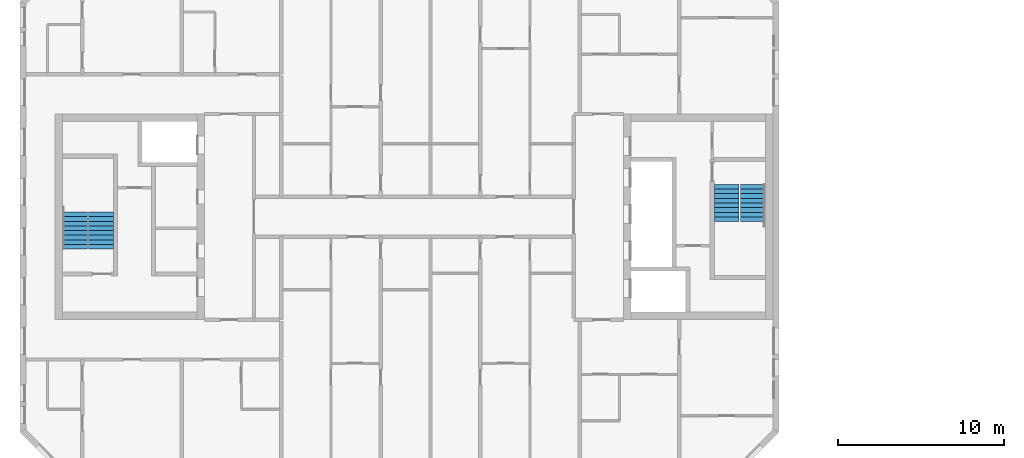
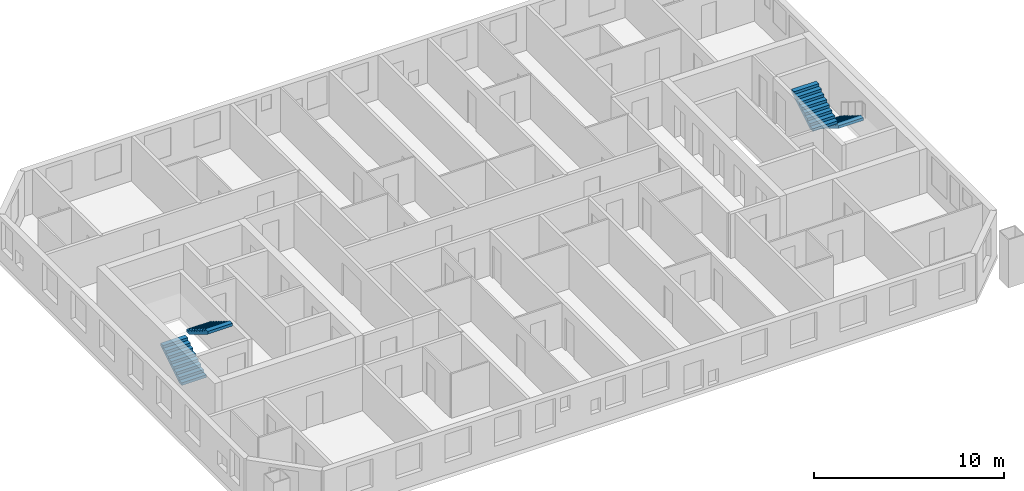
# One storey, part 14 of 15: 4 stair flights, 2 elements without a shape of their own.
"""IFC4 building model written with IfcOpenShell, lengths in metres."""

from ifc_helpers import new_model, si_unit, direction, frame, origin, place, context, subcontext, project, spatial, faceted_brep, material, type_object, element, aggregate, save


model = new_model("IFC4")

# Units and contexts
model_context = context("Model", 3, precision=1e-05, world=origin(), true_north=direction((0.0, 1.0)))
body_context = subcontext(model_context, "Body", "Model", "MODEL_VIEW")
ifc_project = project(units=[si_unit("LENGTHUNIT", "METRE"), si_unit("AREAUNIT", "SQUARE_METRE"), si_unit("VOLUMEUNIT", "CUBIC_METRE"), si_unit("PLANEANGLEUNIT", "RADIAN"), si_unit("MASSUNIT", "GRAM", prefix="KILO")], contexts=[model_context])

# Site, building, storey
site_placement = place(None, origin())
site = spatial("IfcSite", under=ifc_project, at=site_placement, CompositionType="ELEMENT")
building_placement = place(site_placement, origin())
building = spatial("IfcBuilding", under=site, at=building_placement, Name="Tuart Gate Housing", CompositionType="ELEMENT")
storey_placement = place(building_placement, frame((0.0, 0.0, 188.199951171875)))
storey = spatial("IfcBuildingStorey", under=building, at=storey_placement, Name="L53", CompositionType="ELEMENT", Elevation=188.199951171875)

# Stair, stair flights
ifc_material_1 = material(Name="Concrete C40", Category="concrete")
stair_type = type_object("IfcStairType", Name="Core stair 1500", PredefinedType="HALF_TURN_STAIR", material=ifc_material_1)
stair_1_placement = place(storey_placement, origin())
stair_1 = element("IfcStair", 1, at=stair_1_placement, inside=storey, type_object=stair_type, Name="Stair SA1", PredefinedType="HALF_TURN_STAIR")
ifc_material_2 = material(Name="Concrete C40", Category="concrete")
stair_flight_type = type_object("IfcStairFlightType", Name="Stair flight 1500, 9 risers 172 x 280", PredefinedType="STRAIGHT", material=ifc_material_2)
stair_flight_1_placement = place(storey_placement, frame((74.43994140625, 71.949951171875, 0.0), z_axis=(0.0, 0.0, 1.0), x_axis=(0.0, -1.0, 0.0)))
stair_flight_1 = element("IfcStairFlight", 2, at=stair_flight_1_placement, type_object=stair_flight_type, Name="SA1 flight 1", NumberOfRisers=9, NumberOfTreads=8, PredefinedType="STRAIGHT", RiserHeight=0.172222222, TreadLength=0.28, context=body_context, shape_type="Brep", body=[
    faceted_brep([(0.0, 0.75, 0.0), (0.0, 0.75, 0.172119140625), (0.280029296875, 0.75, 0.172119140625), (0.280029296875, 0.75, 0.344482421875), (0.56005859375, 0.75, 0.344482421875), (0.56005859375, 0.75, 0.5166015625), (0.840087890625, 0.75, 0.5166015625), (0.840087890625, 0.75, 0.68896484375), (1.1201171875, 0.75, 0.68896484375), (1.1201171875, 0.75, 0.861083984375), (1.39990234375, 0.75, 0.861083984375), (1.39990234375, 0.75, 1.033447265625), (1.679931640625, 0.75, 1.033447265625), (1.679931640625, 0.75, 1.20556640625), (1.9599609375, 0.75, 1.20556640625), (1.9599609375, 0.75, 1.377685546875), (2.239990234375, 0.75, 1.377685546875), (2.239990234375, 0.75, 1.201904296875), (0.2861328125, 0.75, 0.0), (0.2861328125, -0.75, 0.0), (2.239990234375, -0.75, 1.201904296875), (2.239990234375, -0.75, 1.377685546875), (1.9599609375, -0.75, 1.377685546875), (1.9599609375, -0.75, 1.20556640625), (1.679931640625, -0.75, 1.20556640625), (1.679931640625, -0.75, 1.033447265625), (1.39990234375, -0.75, 1.033447265625), (1.39990234375, -0.75, 0.861083984375), (1.1201171875, -0.75, 0.861083984375), (1.1201171875, -0.75, 0.68896484375), (0.840087890625, -0.75, 0.68896484375), (0.840087890625, -0.75, 0.5166015625), (0.56005859375, -0.75, 0.5166015625), (0.56005859375, -0.75, 0.344482421875), (0.280029296875, -0.75, 0.344482421875), (0.280029296875, -0.75, 0.172119140625), (0.0, -0.75, 0.172119140625), (0.0, -0.75, 0.0), (2.239990234375, 0.0, 1.201904296875), (0.2861328125, 0.0, 0.0), (2.239990234375, 0.0, 1.377685546875), (1.9599609375, 0.0, 1.377685546875), (1.9599609375, 0.0, 1.20556640625), (1.679931640625, 0.0, 1.20556640625), (1.679931640625, 0.0, 1.033447265625), (1.39990234375, 0.0, 1.033447265625), (1.39990234375, 0.0, 0.861083984375), (1.1201171875, 0.0, 0.861083984375), (1.1201171875, 0.0, 0.68896484375), (0.840087890625, 0.0, 0.68896484375), (0.840087890625, 0.0, 0.5166015625), (0.56005859375, 0.0, 0.5166015625), (0.56005859375, 0.0, 0.344482421875), (0.280029296875, 0.0, 0.344482421875), (0.280029296875, 0.0, 0.172119140625), (0.0, 0.0, 0.172119140625), (0.0, 0.0, 0.0)], [[[0, 1, 2, 3, 4, 5, 6, 7, 8, 9, 10, 11, 12, 13, 14, 15, 16, 17, 18]], [[19, 20, 21, 22, 23, 24, 25, 26, 27, 28, 29, 30, 31, 32, 33, 34, 35, 36, 37]], [[18, 17, 38, 39]], [[39, 38, 20, 19]], [[17, 16, 40, 38]], [[38, 40, 21, 20]], [[16, 15, 41, 40]], [[40, 41, 22, 21]], [[15, 14, 42, 41]], [[41, 42, 23, 22]], [[14, 13, 43, 42]], [[42, 43, 24, 23]], [[13, 12, 44, 43]], [[43, 44, 25, 24]], [[12, 11, 45, 44]], [[44, 45, 26, 25]], [[11, 10, 46, 45]], [[45, 46, 27, 26]], [[10, 9, 47, 46]], [[46, 47, 28, 27]], [[9, 8, 48, 47]], [[47, 48, 29, 28]], [[8, 7, 49, 48]], [[48, 49, 30, 29]], [[7, 6, 50, 49]], [[49, 50, 31, 30]], [[6, 5, 51, 50]], [[50, 51, 32, 31]], [[5, 4, 52, 51]], [[51, 52, 33, 32]], [[4, 3, 53, 52]], [[52, 53, 34, 33]], [[3, 2, 54, 53]], [[53, 54, 35, 34]], [[2, 1, 55, 54]], [[54, 55, 36, 35]], [[1, 0, 56, 55]], [[55, 56, 37, 36]], [[0, 18, 39, 56]], [[56, 39, 19, 37]]]),
])
stair_flight_2_placement = place(storey_placement, frame((72.864990234375, 69.7099609375, 1.550048828125), z_axis=(0.0, 0.0, 1.0), x_axis=(0.0, 1.0, 0.0)))
stair_flight_2 = element("IfcStairFlight", 3, at=stair_flight_2_placement, type_object=stair_flight_type, Name="SA1 flight 2", NumberOfRisers=9, NumberOfTreads=8, PredefinedType="STRAIGHT", RiserHeight=0.172222222, TreadLength=0.28, context=body_context, shape_type="Brep", body=[
    faceted_brep([(0.0, 0.75, 0.0), (0.0, 0.75, 0.172119140625), (0.280029296875, 0.75, 0.172119140625), (0.280029296875, 0.75, 0.344482421875), (0.56005859375, 0.75, 0.344482421875), (0.56005859375, 0.75, 0.5166015625), (0.840087890625, 0.75, 0.5166015625), (0.840087890625, 0.75, 0.68896484375), (1.1201171875, 0.75, 0.68896484375), (1.1201171875, 0.75, 0.861083984375), (1.39990234375, 0.75, 0.861083984375), (1.39990234375, 0.75, 1.033447265625), (1.679931640625, 0.75, 1.033447265625), (1.679931640625, 0.75, 1.20556640625), (1.9599609375, 0.75, 1.20556640625), (1.9599609375, 0.75, 1.377685546875), (2.239990234375, 0.75, 1.377685546875), (2.239990234375, 0.75, 1.201904296875), (0.2861328125, 0.75, 0.0), (0.2861328125, -0.75, 0.0), (2.239990234375, -0.75, 1.201904296875), (2.239990234375, -0.75, 1.377685546875), (1.9599609375, -0.75, 1.377685546875), (1.9599609375, -0.75, 1.20556640625), (1.679931640625, -0.75, 1.20556640625), (1.679931640625, -0.75, 1.033447265625), (1.39990234375, -0.75, 1.033447265625), (1.39990234375, -0.75, 0.861083984375), (1.1201171875, -0.75, 0.861083984375), (1.1201171875, -0.75, 0.68896484375), (0.840087890625, -0.75, 0.68896484375), (0.840087890625, -0.75, 0.5166015625), (0.56005859375, -0.75, 0.5166015625), (0.56005859375, -0.75, 0.344482421875), (0.280029296875, -0.75, 0.344482421875), (0.280029296875, -0.75, 0.172119140625), (0.0, -0.75, 0.172119140625), (0.0, -0.75, 0.0), (2.239990234375, 0.0, 1.201904296875), (0.2861328125, 0.0, 0.0), (2.239990234375, 0.0, 1.377685546875), (1.9599609375, 0.0, 1.377685546875), (1.9599609375, 0.0, 1.20556640625), (1.679931640625, 0.0, 1.20556640625), (1.679931640625, 0.0, 1.033447265625), (1.39990234375, 0.0, 1.033447265625), (1.39990234375, 0.0, 0.861083984375), (1.1201171875, 0.0, 0.861083984375), (1.1201171875, 0.0, 0.68896484375), (0.840087890625, 0.0, 0.68896484375), (0.840087890625, 0.0, 0.5166015625), (0.56005859375, 0.0, 0.5166015625), (0.56005859375, 0.0, 0.344482421875), (0.280029296875, 0.0, 0.344482421875), (0.280029296875, 0.0, 0.172119140625), (0.0, 0.0, 0.172119140625), (0.0, 0.0, 0.0)], [[[0, 1, 2, 3, 4, 5, 6, 7, 8, 9, 10, 11, 12, 13, 14, 15, 16, 17, 18]], [[19, 20, 21, 22, 23, 24, 25, 26, 27, 28, 29, 30, 31, 32, 33, 34, 35, 36, 37]], [[18, 17, 38, 39]], [[39, 38, 20, 19]], [[17, 16, 40, 38]], [[38, 40, 21, 20]], [[16, 15, 41, 40]], [[40, 41, 22, 21]], [[15, 14, 42, 41]], [[41, 42, 23, 22]], [[14, 13, 43, 42]], [[42, 43, 24, 23]], [[13, 12, 44, 43]], [[43, 44, 25, 24]], [[12, 11, 45, 44]], [[44, 45, 26, 25]], [[11, 10, 46, 45]], [[45, 46, 27, 26]], [[10, 9, 47, 46]], [[46, 47, 28, 27]], [[9, 8, 48, 47]], [[47, 48, 29, 28]], [[8, 7, 49, 48]], [[48, 49, 30, 29]], [[7, 6, 50, 49]], [[49, 50, 31, 30]], [[6, 5, 51, 50]], [[50, 51, 32, 31]], [[5, 4, 52, 51]], [[51, 52, 33, 32]], [[4, 3, 53, 52]], [[52, 53, 34, 33]], [[3, 2, 54, 53]], [[53, 54, 35, 34]], [[2, 1, 55, 54]], [[54, 55, 36, 35]], [[1, 0, 56, 55]], [[55, 56, 37, 36]], [[0, 18, 39, 56]], [[56, 39, 19, 37]]]),
])
aggregate(stair_1, [stair_flight_1, stair_flight_2])

stair_2_placement = place(storey_placement, origin())
stair_2 = element("IfcStair", 4, at=stair_2_placement, inside=storey, type_object=stair_type, Name="Stair SA2", PredefinedType="HALF_TURN_STAIR")
stair_flight_3_placement = place(storey_placement, frame((33.56005859375, 68.050048828125, 0.0), z_axis=(0.0, 0.0, 1.0), x_axis=(0.0, 1.0, 0.0)))
stair_flight_3 = element("IfcStairFlight", 5, at=stair_flight_3_placement, type_object=stair_flight_type, Name="SA2 flight 1", NumberOfRisers=9, NumberOfTreads=8, PredefinedType="STRAIGHT", RiserHeight=0.172222222, TreadLength=0.28, context=body_context, shape_type="Brep", body=[
    faceted_brep([(0.0, 0.75, 0.0), (0.0, 0.75, 0.172119140625), (0.280029296875, 0.75, 0.172119140625), (0.280029296875, 0.75, 0.344482421875), (0.56005859375, 0.75, 0.344482421875), (0.56005859375, 0.75, 0.5166015625), (0.840087890625, 0.75, 0.5166015625), (0.840087890625, 0.75, 0.68896484375), (1.1201171875, 0.75, 0.68896484375), (1.1201171875, 0.75, 0.861083984375), (1.39990234375, 0.75, 0.861083984375), (1.39990234375, 0.75, 1.033447265625), (1.679931640625, 0.75, 1.033447265625), (1.679931640625, 0.75, 1.20556640625), (1.9599609375, 0.75, 1.20556640625), (1.9599609375, 0.75, 1.377685546875), (2.239990234375, 0.75, 1.377685546875), (2.239990234375, 0.75, 1.201904296875), (0.2861328125, 0.75, 0.0), (0.2861328125, -0.75, 0.0), (2.239990234375, -0.75, 1.201904296875), (2.239990234375, -0.75, 1.377685546875), (1.9599609375, -0.75, 1.377685546875), (1.9599609375, -0.75, 1.20556640625), (1.679931640625, -0.75, 1.20556640625), (1.679931640625, -0.75, 1.033447265625), (1.39990234375, -0.75, 1.033447265625), (1.39990234375, -0.75, 0.861083984375), (1.1201171875, -0.75, 0.861083984375), (1.1201171875, -0.75, 0.68896484375), (0.840087890625, -0.75, 0.68896484375), (0.840087890625, -0.75, 0.5166015625), (0.56005859375, -0.75, 0.5166015625), (0.56005859375, -0.75, 0.344482421875), (0.280029296875, -0.75, 0.344482421875), (0.280029296875, -0.75, 0.172119140625), (0.0, -0.75, 0.172119140625), (0.0, -0.75, 0.0), (2.239990234375, 0.0, 1.201904296875), (0.2861328125, 0.0, 0.0), (2.239990234375, 0.0, 1.377685546875), (1.9599609375, 0.0, 1.377685546875), (1.9599609375, 0.0, 1.20556640625), (1.679931640625, 0.0, 1.20556640625), (1.679931640625, 0.0, 1.033447265625), (1.39990234375, 0.0, 1.033447265625), (1.39990234375, 0.0, 0.861083984375), (1.1201171875, 0.0, 0.861083984375), (1.1201171875, 0.0, 0.68896484375), (0.840087890625, 0.0, 0.68896484375), (0.840087890625, 0.0, 0.5166015625), (0.56005859375, 0.0, 0.5166015625), (0.56005859375, 0.0, 0.344482421875), (0.280029296875, 0.0, 0.344482421875), (0.280029296875, 0.0, 0.172119140625), (0.0, 0.0, 0.172119140625), (0.0, 0.0, 0.0)], [[[0, 1, 2, 3, 4, 5, 6, 7, 8, 9, 10, 11, 12, 13, 14, 15, 16, 17, 18]], [[19, 20, 21, 22, 23, 24, 25, 26, 27, 28, 29, 30, 31, 32, 33, 34, 35, 36, 37]], [[18, 17, 38, 39]], [[39, 38, 20, 19]], [[17, 16, 40, 38]], [[38, 40, 21, 20]], [[16, 15, 41, 40]], [[40, 41, 22, 21]], [[15, 14, 42, 41]], [[41, 42, 23, 22]], [[14, 13, 43, 42]], [[42, 43, 24, 23]], [[13, 12, 44, 43]], [[43, 44, 25, 24]], [[12, 11, 45, 44]], [[44, 45, 26, 25]], [[11, 10, 46, 45]], [[45, 46, 27, 26]], [[10, 9, 47, 46]], [[46, 47, 28, 27]], [[9, 8, 48, 47]], [[47, 48, 29, 28]], [[8, 7, 49, 48]], [[48, 49, 30, 29]], [[7, 6, 50, 49]], [[49, 50, 31, 30]], [[6, 5, 51, 50]], [[50, 51, 32, 31]], [[5, 4, 52, 51]], [[51, 52, 33, 32]], [[4, 3, 53, 52]], [[52, 53, 34, 33]], [[3, 2, 54, 53]], [[53, 54, 35, 34]], [[2, 1, 55, 54]], [[54, 55, 36, 35]], [[1, 0, 56, 55]], [[55, 56, 37, 36]], [[0, 18, 39, 56]], [[56, 39, 19, 37]]]),
])
stair_flight_4_placement = place(storey_placement, frame((35.135009765625, 70.2900390625, 1.550048828125), z_axis=(0.0, 0.0, 1.0), x_axis=(0.0, -1.0, 0.0)))
stair_flight_4 = element("IfcStairFlight", 6, at=stair_flight_4_placement, type_object=stair_flight_type, Name="SA2 flight 2", NumberOfRisers=9, NumberOfTreads=8, PredefinedType="STRAIGHT", RiserHeight=0.172222222, TreadLength=0.28, context=body_context, shape_type="Brep", body=[
    faceted_brep([(0.0, 0.75, 0.0), (0.0, 0.75, 0.172119140625), (0.280029296875, 0.75, 0.172119140625), (0.280029296875, 0.75, 0.344482421875), (0.56005859375, 0.75, 0.344482421875), (0.56005859375, 0.75, 0.5166015625), (0.840087890625, 0.75, 0.5166015625), (0.840087890625, 0.75, 0.68896484375), (1.1201171875, 0.75, 0.68896484375), (1.1201171875, 0.75, 0.861083984375), (1.39990234375, 0.75, 0.861083984375), (1.39990234375, 0.75, 1.033447265625), (1.679931640625, 0.75, 1.033447265625), (1.679931640625, 0.75, 1.20556640625), (1.9599609375, 0.75, 1.20556640625), (1.9599609375, 0.75, 1.377685546875), (2.239990234375, 0.75, 1.377685546875), (2.239990234375, 0.75, 1.201904296875), (0.2861328125, 0.75, 0.0), (0.2861328125, -0.75, 0.0), (2.239990234375, -0.75, 1.201904296875), (2.239990234375, -0.75, 1.377685546875), (1.9599609375, -0.75, 1.377685546875), (1.9599609375, -0.75, 1.20556640625), (1.679931640625, -0.75, 1.20556640625), (1.679931640625, -0.75, 1.033447265625), (1.39990234375, -0.75, 1.033447265625), (1.39990234375, -0.75, 0.861083984375), (1.1201171875, -0.75, 0.861083984375), (1.1201171875, -0.75, 0.68896484375), (0.840087890625, -0.75, 0.68896484375), (0.840087890625, -0.75, 0.5166015625), (0.56005859375, -0.75, 0.5166015625), (0.56005859375, -0.75, 0.344482421875), (0.280029296875, -0.75, 0.344482421875), (0.280029296875, -0.75, 0.172119140625), (0.0, -0.75, 0.172119140625), (0.0, -0.75, 0.0), (2.239990234375, 0.0, 1.201904296875), (0.2861328125, 0.0, 0.0), (2.239990234375, 0.0, 1.377685546875), (1.9599609375, 0.0, 1.377685546875), (1.9599609375, 0.0, 1.20556640625), (1.679931640625, 0.0, 1.20556640625), (1.679931640625, 0.0, 1.033447265625), (1.39990234375, 0.0, 1.033447265625), (1.39990234375, 0.0, 0.861083984375), (1.1201171875, 0.0, 0.861083984375), (1.1201171875, 0.0, 0.68896484375), (0.840087890625, 0.0, 0.68896484375), (0.840087890625, 0.0, 0.5166015625), (0.56005859375, 0.0, 0.5166015625), (0.56005859375, 0.0, 0.344482421875), (0.280029296875, 0.0, 0.344482421875), (0.280029296875, 0.0, 0.172119140625), (0.0, 0.0, 0.172119140625), (0.0, 0.0, 0.0)], [[[0, 1, 2, 3, 4, 5, 6, 7, 8, 9, 10, 11, 12, 13, 14, 15, 16, 17, 18]], [[19, 20, 21, 22, 23, 24, 25, 26, 27, 28, 29, 30, 31, 32, 33, 34, 35, 36, 37]], [[18, 17, 38, 39]], [[39, 38, 20, 19]], [[17, 16, 40, 38]], [[38, 40, 21, 20]], [[16, 15, 41, 40]], [[40, 41, 22, 21]], [[15, 14, 42, 41]], [[41, 42, 23, 22]], [[14, 13, 43, 42]], [[42, 43, 24, 23]], [[13, 12, 44, 43]], [[43, 44, 25, 24]], [[12, 11, 45, 44]], [[44, 45, 26, 25]], [[11, 10, 46, 45]], [[45, 46, 27, 26]], [[10, 9, 47, 46]], [[46, 47, 28, 27]], [[9, 8, 48, 47]], [[47, 48, 29, 28]], [[8, 7, 49, 48]], [[48, 49, 30, 29]], [[7, 6, 50, 49]], [[49, 50, 31, 30]], [[6, 5, 51, 50]], [[50, 51, 32, 31]], [[5, 4, 52, 51]], [[51, 52, 33, 32]], [[4, 3, 53, 52]], [[52, 53, 34, 33]], [[3, 2, 54, 53]], [[53, 54, 35, 34]], [[2, 1, 55, 54]], [[54, 55, 36, 35]], [[1, 0, 56, 55]], [[55, 56, 37, 36]], [[0, 18, 39, 56]], [[56, 39, 19, 37]]]),
])
aggregate(stair_2, [stair_flight_3, stair_flight_4])

save(model, "model.ifc")
